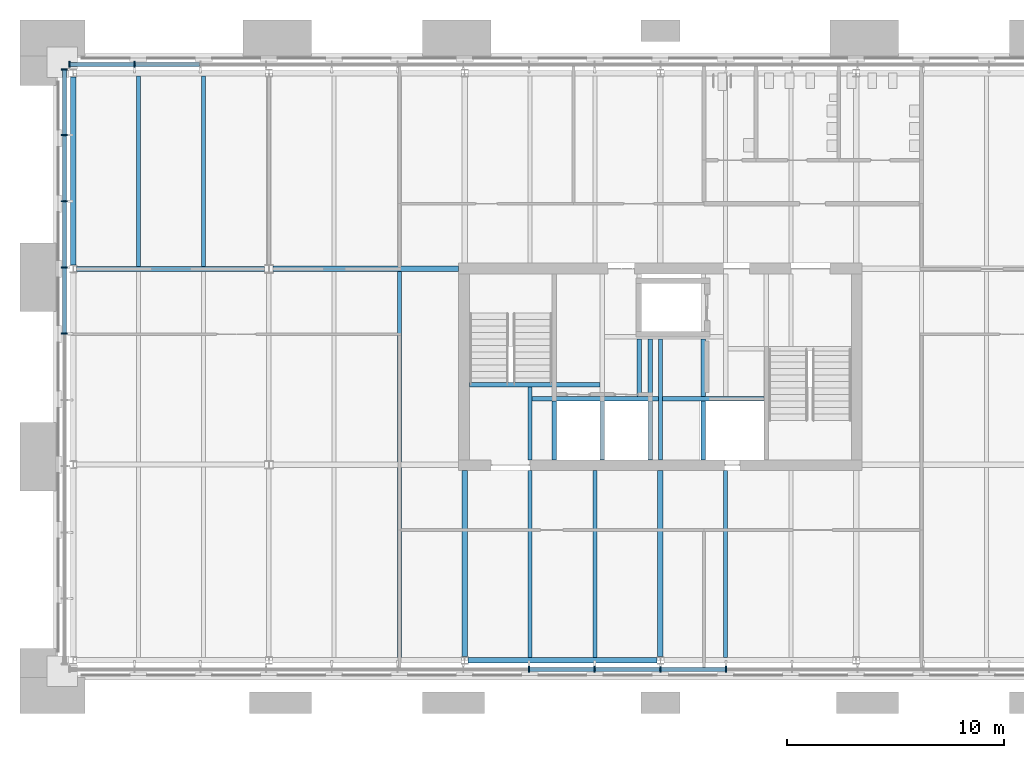
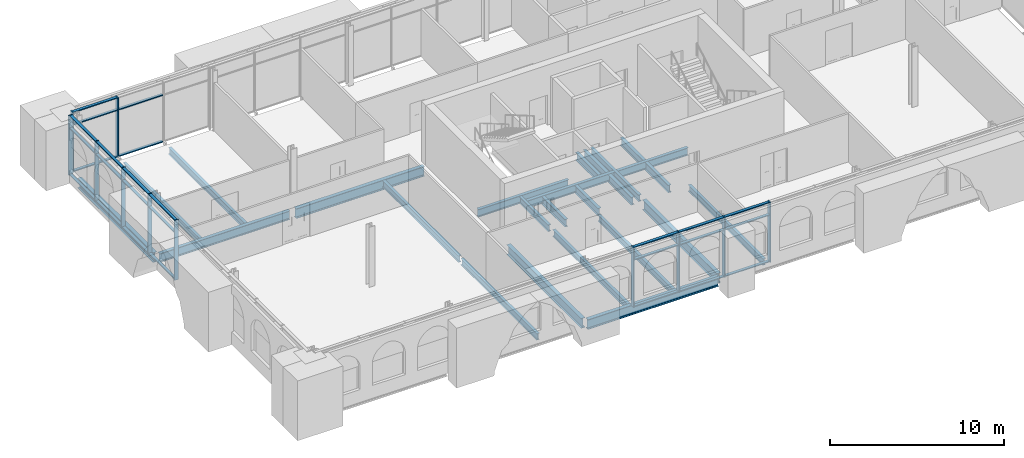
# One storey, part 4 of 22: 37 members, 25 beams, 3 elements without a shape of their own.
"""IFC4 building model written with IfcOpenShell, lengths in metres."""

import ifcopenshell
import ifcopenshell.guid

model = None  # the IFC model being written
_history = None  # IfcOwnerHistory: only IFC2X3 demands one
_inside = {}  # id of a spatial element -> (the spatial element, [elements in it])
_under = {}  # id of a project, library or spatial element -> (it, [spatial elements below it])
_declared = {}  # id of a project -> (the project, [libraries it declares])
_typed = {}  # id of a type object -> (the type object, [elements of that type])
_made_of = {}  # id of a material, layer set ... -> (it, [elements and type objects made of it])


def new_model(schema):
    """Start an empty IFC model of exactly this schema.

    Asked for "IFC4X3", IfcOpenShell would pick the latest addendum, in which some entities
    have other attributes; the version numbers below select the first issue.
    IFC2X3 requires an IfcOwnerHistory on every rooted entity: one is made here for all.
    """
    global model, _history
    if schema == "IFC4X3":
        model = ifcopenshell.file(schema_version=(4, 3, 0, 0))
    else:
        model = ifcopenshell.file(schema=schema)
    _inside.clear()
    _under.clear()
    _declared.clear()
    _typed.clear()
    _made_of.clear()
    _history = None
    if model.schema == "IFC2X3":
        org = make("IfcOrganization", Name="unknown")
        user = make(
            "IfcPersonAndOrganization",
            ThePerson=make("IfcPerson", FamilyName="unknown"),
            TheOrganization=org,
        )
        app = make(
            "IfcApplication",
            ApplicationDeveloper=org,
            Version="unknown",
            ApplicationFullName="unknown",
            ApplicationIdentifier="unknown",
        )
        _history = make(
            "IfcOwnerHistory",
            OwningUser=user,
            OwningApplication=app,
            ChangeAction="ADDED",
            CreationDate=0,
        )
    return model


def make(cls, **values):
    """One entity of the class cls with the attributes given. An attribute that is None is left unset."""
    return model.create_entity(
        cls, **{name: value for name, value in values.items() if value is not None}
    )


def rooted(cls, **values):
    """An entity with a GlobalId (a new one), such as an element, a storey or a relation."""
    return make(cls, GlobalId=ifcopenshell.guid.new(), OwnerHistory=_history, **values)


def si_unit(unit_type, name, prefix=None):
    """IfcSIUnit, for example si_unit("LENGTHUNIT", "METRE", prefix="MILLI")."""
    return make("IfcSIUnit", UnitType=unit_type, Prefix=prefix, Name=name)


def assignment(units):
    """IfcUnitAssignment: the units of a project."""
    return None if units is None else make("IfcUnitAssignment", Units=units)


def point(xyz):
    """IfcCartesianPoint."""
    return None if xyz is None else make("IfcCartesianPoint", Coordinates=xyz)


def direction(xyz):
    """IfcDirection."""
    return None if xyz is None else make("IfcDirection", DirectionRatios=xyz)


def frame(location, z_axis=None, x_axis=None):
    """IfcAxis2Placement3D, a coordinate frame: its origin and axes. An axis left out is left unset."""
    return make(
        "IfcAxis2Placement3D",
        Location=point(location),
        Axis=direction(z_axis),
        RefDirection=direction(x_axis),
    )


def frame_2d(location, x_axis=None):
    """IfcAxis2Placement2D, a coordinate frame in the plane: its origin and x axis."""
    return make(
        "IfcAxis2Placement2D", Location=point(location), RefDirection=direction(x_axis)
    )


def origin():
    """The frame at (0, 0, 0) with its axes left unset."""
    return frame((0.0, 0.0, 0.0))


def origin_2d():
    """The frame at (0, 0) in the plane with its x axis left unset."""
    return frame_2d((0.0, 0.0))


def place(relative_to, where):
    """IfcLocalPlacement: puts the frame where relative to a parent placement (None: the world)."""
    return make(
        "IfcLocalPlacement", PlacementRelTo=relative_to, RelativePlacement=where
    )


def context(
    kind, dimensions, precision=None, world=None, true_north=None, identifier=None
):
    """IfcGeometricRepresentationContext, for example the 3D "Model" context."""
    return make(
        "IfcGeometricRepresentationContext",
        ContextIdentifier=identifier,
        ContextType=kind,
        CoordinateSpaceDimension=dimensions,
        Precision=precision,
        WorldCoordinateSystem=world,
        TrueNorth=true_north,
    )


def subcontext(parent, identifier, kind, view, scale=None):
    """IfcGeometricRepresentationSubContext, for example "Body" below "Model"."""
    return make(
        "IfcGeometricRepresentationSubContext",
        ContextIdentifier=identifier,
        ContextType=kind,
        ParentContext=parent,
        TargetScale=scale,
        TargetView=view,
    )


def project(units=None, contexts=None):
    """IfcProject with its units and contexts."""
    return rooted(
        "IfcProject",
        Name="project",
        RepresentationContexts=contexts,
        UnitsInContext=assignment(units),
    )


def spatial(cls, under=None, at=None, **own):
    """A site, building, storey or space (cls), placed at a placement, below another one or the project."""
    s = rooted(cls, ObjectPlacement=at, **own)
    if under is not None:
        _under.setdefault(under.id(), (under, []))[1].append(s)
    return s


def profile(cls, at=None, kind="AREA", **sizes):
    """A parametric profile (cls). Its sizes go by their IFC names, for example OverallWidth=200.0."""
    return make(cls, ProfileType=kind, Position=at, **sizes)


def rectangle(**sizes):
    """IfcRectangleProfileDef."""
    return profile("IfcRectangleProfileDef", **sizes)


def i_section(**sizes):
    """IfcIShapeProfileDef."""
    return profile("IfcIShapeProfileDef", **sizes)


def extrude(swept, where, along, depth):
    """IfcExtrudedAreaSolid: the profile swept, set in the frame where, extruded along a direction by depth."""
    return make(
        "IfcExtrudedAreaSolid",
        SweptArea=swept,
        Position=where,
        ExtrudedDirection=direction(along),
        Depth=depth,
    )


def shape(context_of_items, identifier, shape_type, items):
    """IfcShapeRepresentation: the items that make up one representation, for example the "Body"."""
    return make(
        "IfcShapeRepresentation",
        ContextOfItems=context_of_items,
        RepresentationIdentifier=identifier,
        RepresentationType=shape_type,
        Items=items,
    )


def material(Name=None, Category=None):
    """IfcMaterial."""
    return make("IfcMaterial", Name=Name, Category=Category)


def material_profile(
    of_material, cross_section, Name=None, Category=None, Priority=None
):
    """IfcMaterialProfile: a cross section and its material."""
    return make(
        "IfcMaterialProfile",
        Name=Name,
        Material=of_material,
        Profile=cross_section,
        Priority=Priority,
        Category=Category,
    )


def profile_set(profiles, Name=None, composite=None):
    """IfcMaterialProfileSet."""
    return make(
        "IfcMaterialProfileSet",
        Name=Name,
        MaterialProfiles=profiles,
        CompositeProfile=composite,
    )


def made_of(thing, what):
    """Note that an element or type object is made of a material, layer set ...; save() writes the relation."""
    if what is not None:
        _made_of.setdefault(what.id(), (what, []))[1].append(thing)
    return thing


def type_object(cls, material=None, **own):
    """A type object (cls), such as IfcWallType, which elements share."""
    return made_of(rooted(cls, **own), material)


def element(
    cls,
    number,
    at=None,
    inside=None,
    cuts=None,
    type_object=None,
    material=None,
    context=None,
    identifier="Body",
    shape_type=None,
    held_by="IfcProductDefinitionShape",
    body=None,
    shapes=None,
    **own,
):
    """One element of the class cls, such as IfcWall. Its Tag is "e" and its number.

    at: its placement. inside: the storey or other place that contains it. cuts: it is an
    opening in that element (IfcRelVoidsElement). A single representation is given by context,
    identifier, shape_type and body (its items); several are given by shapes. held_by: the class
    of the entity that holds the representations. save() writes the other relations.
    """
    e = rooted(cls, Tag="e%d" % number, ObjectPlacement=at, **own)
    if body is not None:
        shapes = [shape(context, identifier, shape_type, body)]
    if shapes is not None:
        e.Representation = make(held_by, Representations=shapes)
    if inside is not None:
        _inside.setdefault(inside.id(), (inside, []))[1].append(e)
    if cuts is not None:
        rooted(
            "IfcRelVoidsElement", RelatingBuildingElement=cuts, RelatedOpeningElement=e
        )
    if type_object is not None:
        _typed.setdefault(type_object.id(), (type_object, []))[1].append(e)
    return made_of(e, material)


def aggregate(whole, parts):
    """IfcRelAggregates: a whole, such as a stair, and the parts it consists of."""
    return rooted("IfcRelAggregates", RelatingObject=whole, RelatedObjects=parts)


def save(model, path):
    """Write the relations noted so far, then the file.

    IfcRelAggregates (storeys below a building ...), IfcRelContainedInSpatialStructure (elements
    in a storey), IfcRelDefinesByType, IfcRelAssociatesMaterial and IfcRelDeclares: one each for
    every whole, place, type object, material and project.
    """
    for whole, parts in _under.values():
        aggregate(whole, parts)
    for where, things in _inside.values():
        rooted(
            "IfcRelContainedInSpatialStructure",
            RelatedElements=things,
            RelatingStructure=where,
        )
    for kind, things in _typed.values():
        rooted("IfcRelDefinesByType", RelatedObjects=things, RelatingType=kind)
    for what, things in _made_of.values():
        rooted("IfcRelAssociatesMaterial", RelatedObjects=things, RelatingMaterial=what)
    for by, libraries in _declared.values():
        rooted("IfcRelDeclares", RelatingContext=by, RelatedDefinitions=libraries)
    model.write(path)


model = new_model("IFC4")

# Units and contexts
model_context = context("Model", 3, precision=1e-05, world=origin(), true_north=direction((0.0, 1.0)))
body_context = subcontext(model_context, "Body", "Model", "MODEL_VIEW")
ifc_project = project(units=[si_unit("LENGTHUNIT", "METRE"), si_unit("AREAUNIT", "SQUARE_METRE"), si_unit("VOLUMEUNIT", "CUBIC_METRE"), si_unit("PLANEANGLEUNIT", "RADIAN"), si_unit("MASSUNIT", "GRAM", prefix="KILO")], contexts=[model_context])

# Site, building, storey
site_placement = place(None, origin())
site = spatial("IfcSite", under=ifc_project, at=site_placement, CompositionType="ELEMENT")
building_placement = place(site_placement, origin())
building = spatial("IfcBuilding", under=site, at=building_placement, Name="Baradari Gate Terminus", CompositionType="ELEMENT")
storey_placement = place(building_placement, frame((0.0, 0.0, 28.5)))
storey = spatial("IfcBuildingStorey", under=building, at=storey_placement, Name="L06", CompositionType="ELEMENT", Elevation=28.5)

# Beams
ifc_material_1 = material(Name="Steel S355", Category="steel")
ifc_material_profile_1 = material_profile(ifc_material_1, i_section(OverallWidth=0.19140625, OverallDepth=0.4599609375, WebThickness=0.010009765625, FlangeThickness=0.01611328125, FilletRadius=0.01025390625, at=origin_2d()), Name="UB 457x191x82")
ifc_profile_set_1 = profile_set([ifc_material_profile_1], Name="Steel S355")
beam_type_1 = type_object("IfcBeamType", Name="Core floor beam B23 UB 457x191x82", PredefinedType="BEAM", material=ifc_profile_set_1)
beam_1_placement = place(storey_placement, frame((30.0, 126.22509765625, -0.360107421875), z_axis=(0.0, 1.0, 0.0), x_axis=(-1.0, 0.0, 0.0)))
element("IfcBeam", 1, at=beam_1_placement, inside=storey, type_object=beam_type_1, Name="Core floor beam B23 30:126.225-129.57 L06", PredefinedType="BEAM", context=body_context, shape_type="SweptSolid", body=[
    extrude(i_section(OverallWidth=0.19140625, OverallDepth=0.4599609375, WebThickness=0.010009765625, FlangeThickness=0.01611328125, FilletRadius=0.01025390625, at=origin_2d()), origin(), (0.0, 0.0, 1.0), 3.34521484375),
])
beam_2_placement = place(storey_placement, frame((36.0, 126.22509765625, -0.360107421875), z_axis=(0.0, 1.0, 0.0), x_axis=(-1.0, 0.0, 0.0)))
element("IfcBeam", 2, at=beam_2_placement, inside=storey, type_object=beam_type_1, Name="Core floor beam B23 5:126.225-131.77 L06", PredefinedType="BEAM", context=body_context, shape_type="SweptSolid", body=[
    extrude(i_section(OverallWidth=0.19140625, OverallDepth=0.4599609375, WebThickness=0.010009765625, FlangeThickness=0.01611328125, FilletRadius=0.01025390625, at=origin_2d()), origin(), (0.0, 0.0, 1.0), 5.54541015625),
])
ifc_material_2 = material(Name="Steel S355", Category="steel")
ifc_material_profile_2 = material_profile(ifc_material_2, i_section(OverallWidth=0.209228515625, OverallDepth=0.533203125, WebThickness=0.010009765625, FlangeThickness=0.015625, FilletRadius=0.0126953125, at=origin_2d()), Name="UB 533x210x92")
ifc_profile_set_2 = profile_set([ifc_material_profile_2], Name="Steel S355")
beam_type_2 = type_object("IfcBeamType", Name="Core floor trimmer beam B22 UB 533x210x92", PredefinedType="BEAM", material=ifc_profile_set_2)
beam_3_placement = place(storey_placement, frame((30.095703125, 129.02490234375, -0.396484375), z_axis=(1.0, 0.0, 0.0), x_axis=(0.0, 1.0, 0.0)))
element("IfcBeam", 3, at=beam_3_placement, inside=storey, type_object=beam_type_2, Name="Core floor trimmer beam B22 129.025:30.096-35.904 L06", PredefinedType="BEAM", context=body_context, shape_type="SweptSolid", body=[
    extrude(i_section(OverallWidth=0.209228515625, OverallDepth=0.533203125, WebThickness=0.010009765625, FlangeThickness=0.015625, FilletRadius=0.0126953125, at=origin_2d()), origin(), (0.0, 0.0, 1.0), 5.80859375),
])
beam_4_placement = place(storey_placement, frame((36.095703125, 129.02490234375, -0.396484375), z_axis=(1.0, 0.0, 0.0), x_axis=(0.0, 1.0, 0.0)))
element("IfcBeam", 4, at=beam_4_placement, inside=storey, type_object=beam_type_2, Name="Core floor trimmer beam B22 129.025:36.096-40.77 L06", PredefinedType="BEAM", context=body_context, shape_type="SweptSolid", body=[
    extrude(i_section(OverallWidth=0.209228515625, OverallDepth=0.533203125, WebThickness=0.010009765625, FlangeThickness=0.015625, FilletRadius=0.0126953125, at=origin_2d()), origin(), (0.0, 0.0, 1.0), 4.6748046875),
])
beam_5_placement = place(storey_placement, frame((27.22509765625, 129.675048828125, -0.396484375), z_axis=(1.0, 0.0, 0.0), x_axis=(0.0, 1.0, 0.0)))
element("IfcBeam", 5, at=beam_5_placement, inside=storey, type_object=beam_type_2, Name="Core floor trimmer beam B22 129.675:27.225-33.22 L06", PredefinedType="BEAM", context=body_context, shape_type="SweptSolid", body=[
    extrude(i_section(OverallWidth=0.209228515625, OverallDepth=0.533203125, WebThickness=0.010009765625, FlangeThickness=0.015625, FilletRadius=0.0126953125, at=origin_2d()), origin(), (0.0, 0.0, 1.0), 5.995361328125),
])
for number, where, z_axis, x_axis, name in (
    (6, (31.125, 126.22509765625, -0.396484375), (0.0, 1.0, 0.0), (-1.0, 0.0, 0.0), "Core floor trimmer beam B22 31.125:126.225-128.92 L06"),
    (7, (33.324951171875, 126.22509765625, -0.396484375), (0.0, 1.0, 0.0), (-1.0, 0.0, 0.0), "Core floor trimmer beam B22 33.325:126.225-128.92 L06"),
    (8, (35.530029296875, 126.22509765625, -0.396484375), (0.0, 1.0, 0.0), (-1.0, 0.0, 0.0), "Core floor trimmer beam B22 35.53:126.225-128.92 L06"),
):
    element("IfcBeam", number, at=place(storey_placement, frame(where, z_axis=z_axis, x_axis=x_axis)), inside=storey, type_object=beam_type_2, Name=name, PredefinedType="BEAM", context=body_context, shape_type="SweptSolid", body=[
        extrude(i_section(OverallWidth=0.209228515625, OverallDepth=0.533203125, WebThickness=0.010009765625, FlangeThickness=0.015625, FilletRadius=0.0126953125, at=origin_2d()), origin(), (0.0, 0.0, 1.0), 2.6953125),
    ])
beam_6_placement = place(storey_placement, frame((35.530029296875, 129.129638671875, -0.396484375), z_axis=(0.0, 1.0, 0.0), x_axis=(-1.0, 0.0, 0.0)))
element("IfcBeam", 9, at=beam_6_placement, inside=storey, type_object=beam_type_2, Name="Core floor trimmer beam B22 35.53:129.13-131.77 L06", PredefinedType="BEAM", context=body_context, shape_type="SweptSolid", body=[
    extrude(i_section(OverallWidth=0.209228515625, OverallDepth=0.533203125, WebThickness=0.010009765625, FlangeThickness=0.015625, FilletRadius=0.0126953125, at=origin_2d()), origin(), (0.0, 0.0, 1.0), 2.640869140625),
])
beam_7_placement = place(storey_placement, frame((37.97802734375, 126.22509765625, -0.396484375), z_axis=(0.0, 1.0, 0.0), x_axis=(-1.0, 0.0, 0.0)))
element("IfcBeam", 10, at=beam_7_placement, inside=storey, type_object=beam_type_2, Name="Core floor trimmer beam B22 37.978:126.225-128.92 L06", PredefinedType="BEAM", context=body_context, shape_type="SweptSolid", body=[
    extrude(i_section(OverallWidth=0.209228515625, OverallDepth=0.533203125, WebThickness=0.010009765625, FlangeThickness=0.015625, FilletRadius=0.0126953125, at=origin_2d()), origin(), (0.0, 0.0, 1.0), 2.6953125),
])
for number, where, z_axis, x_axis, name in (
    (11, (35.02001953125, 129.129638671875, -0.396484375), (0.0, 1.0, 0.0), (-1.0, 0.0, 0.0), "Core floor trimmer beam B22 35.02:129.13-131.77 L06"),
    (12, (37.97802734375, 129.129638671875, -0.396484375), (0.0, 1.0, 0.0), (-1.0, 0.0, 0.0), "Core floor trimmer beam B22 37.978:129.13-131.77 L06"),
):
    element("IfcBeam", number, at=place(storey_placement, frame(where, z_axis=z_axis, x_axis=x_axis)), inside=storey, type_object=beam_type_2, Name=name, PredefinedType="BEAM", context=body_context, shape_type="SweptSolid", body=[
        extrude(i_section(OverallWidth=0.209228515625, OverallDepth=0.533203125, WebThickness=0.010009765625, FlangeThickness=0.015625, FilletRadius=0.0126953125, at=origin_2d()), origin(), (0.0, 0.0, 1.0), 2.640869140625),
    ])

# Curtain wall, members
ifc_material_3 = material(Name="Aluminium 6063-T6", Category="aluminium")
curtain_wall_type = type_object("IfcCurtainWallType", Name="Curtain wall CW-12 block arcade floors, L06-L07", PredefinedType="NOTDEFINED", material=ifc_material_3)
curtain_wall_1_placement = place(storey_placement, origin())
curtain_wall_1 = element("IfcCurtainWall", 13, at=curtain_wall_1_placement, inside=storey, type_object=curtain_wall_type, Name="Curtain wall CW-12 Operations block S face L06", PredefinedType="NOTDEFINED")
ifc_material_4 = material(Name="Aluminium 6063-T6", Category="aluminium")
ifc_material_profile_3 = material_profile(ifc_material_4, rectangle(XDim=0.27490234375, YDim=0.06494140625, at=origin_2d()), Name="CM-12 65X275")
ifc_profile_set_3 = profile_set([ifc_material_profile_3], Name="Aluminium 6063-T6")
member_type_1 = type_object("IfcMemberType", Name="Curtain wall mullion CM-12 65x275", PredefinedType="MULLION", material=ifc_profile_set_3)
member_1_placement = place(storey_placement, frame((29.95556640625, 116.592529296875, 0.0), z_axis=(0.0, 0.0, 1.0), x_axis=(0.0, 1.0, 0.0)))
member_1 = element("IfcMember", 14, at=member_1_placement, type_object=member_type_1, Name="CW-12 mullion 8", PredefinedType="MULLION", context=body_context, shape_type="SweptSolid", body=[
    extrude(rectangle(XDim=0.27490234375, YDim=0.06494140625, at=origin_2d()), origin(), (0.0, 0.0, 1.0), 4.199951171875),
])
member_2_placement = place(storey_placement, frame((32.977783203125, 116.592529296875, 0.0), z_axis=(0.0, 0.0, 1.0), x_axis=(0.0, 1.0, 0.0)))
member_2 = element("IfcMember", 15, at=member_2_placement, type_object=member_type_1, Name="CW-12 mullion 9", PredefinedType="MULLION", context=body_context, shape_type="SweptSolid", body=[
    extrude(rectangle(XDim=0.27490234375, YDim=0.06494140625, at=origin_2d()), origin(), (0.0, 0.0, 1.0), 4.199951171875),
])
member_3_placement = place(storey_placement, frame((36.0, 116.592529296875, 0.0), z_axis=(0.0, 0.0, 1.0), x_axis=(0.0, 1.0, 0.0)))
member_3 = element("IfcMember", 16, at=member_3_placement, type_object=member_type_1, Name="CW-12 mullion 10", PredefinedType="MULLION", context=body_context, shape_type="SweptSolid", body=[
    extrude(rectangle(XDim=0.27490234375, YDim=0.06494140625, at=origin_2d()), origin(), (0.0, 0.0, 1.0), 4.199951171875),
])
member_4_placement = place(storey_placement, frame((39.022216796875, 116.592529296875, 0.0), z_axis=(0.0, 0.0, 1.0), x_axis=(0.0, 1.0, 0.0)))
member_4 = element("IfcMember", 17, at=member_4_placement, type_object=member_type_1, Name="CW-12 mullion 11", PredefinedType="MULLION", context=body_context, shape_type="SweptSolid", body=[
    extrude(rectangle(XDim=0.27490234375, YDim=0.06494140625, at=origin_2d()), origin(), (0.0, 0.0, 1.0), 4.199951171875),
])

curtain_wall_2_placement = place(storey_placement, origin())
curtain_wall_2 = element("IfcCurtainWall", 18, at=curtain_wall_2_placement, inside=storey, type_object=curtain_wall_type, Name="Curtain wall CW-12 Operations block N face L06", PredefinedType="NOTDEFINED")
member_5_placement = place(storey_placement, frame((11.822265625, 144.407470703125, 0.0), z_axis=(0.0, 0.0, 1.0), x_axis=(0.0, -1.0, 0.0)))
member_5 = element("IfcMember", 19, at=member_5_placement, type_object=member_type_1, Name="CW-12 mullion 18", PredefinedType="MULLION", context=body_context, shape_type="SweptSolid", body=[
    extrude(rectangle(XDim=0.27490234375, YDim=0.06494140625, at=origin_2d()), origin(), (0.0, 0.0, 1.0), 4.199951171875),
])
member_6_placement = place(storey_placement, frame((8.83251953125, 144.407470703125, 0.0), z_axis=(0.0, 0.0, 1.0), x_axis=(0.0, -1.0, 0.0)))
member_6 = element("IfcMember", 20, at=member_6_placement, type_object=member_type_1, Name="CW-12 mullion 19", PredefinedType="MULLION", context=body_context, shape_type="SweptSolid", body=[
    extrude(rectangle(XDim=0.27490234375, YDim=0.06494140625, at=origin_2d()), origin(), (0.0, 0.0, 1.0), 4.199951171875),
])

curtain_wall_3_placement = place(storey_placement, origin())
curtain_wall_3 = element("IfcCurtainWall", 21, at=curtain_wall_3_placement, inside=storey, type_object=curtain_wall_type, Name="Curtain wall CW-12 Operations block W face L06", PredefinedType="NOTDEFINED")
member_7_placement = place(storey_placement, frame((8.592529296875, 144.16748046875, 0.0), z_axis=(0.0, 0.0, 1.0), x_axis=(1.0, 0.0, 0.0)))
member_7 = element("IfcMember", 22, at=member_7_placement, type_object=member_type_1, Name="CW-12 mullion 1", PredefinedType="MULLION", context=body_context, shape_type="SweptSolid", body=[
    extrude(rectangle(XDim=0.27490234375, YDim=0.06494140625, at=origin_2d()), origin(), (0.0, 0.0, 1.0), 4.199951171875),
])
member_8_placement = place(storey_placement, frame((8.592529296875, 141.155517578125, 0.0), z_axis=(0.0, 0.0, 1.0), x_axis=(1.0, 0.0, 0.0)))
member_8 = element("IfcMember", 23, at=member_8_placement, type_object=member_type_1, Name="CW-12 mullion 2", PredefinedType="MULLION", context=body_context, shape_type="SweptSolid", body=[
    extrude(rectangle(XDim=0.27490234375, YDim=0.06494140625, at=origin_2d()), origin(), (0.0, 0.0, 1.0), 4.199951171875),
])
member_9_placement = place(storey_placement, frame((8.592529296875, 138.111083984375, 0.0), z_axis=(0.0, 0.0, 1.0), x_axis=(1.0, 0.0, 0.0)))
member_9 = element("IfcMember", 24, at=member_9_placement, type_object=member_type_1, Name="CW-12 mullion 3", PredefinedType="MULLION", context=body_context, shape_type="SweptSolid", body=[
    extrude(rectangle(XDim=0.27490234375, YDim=0.06494140625, at=origin_2d()), origin(), (0.0, 0.0, 1.0), 4.199951171875),
])
member_10_placement = place(storey_placement, frame((8.592529296875, 135.066650390625, 0.0), z_axis=(0.0, 0.0, 1.0), x_axis=(1.0, 0.0, 0.0)))
member_10 = element("IfcMember", 25, at=member_10_placement, type_object=member_type_1, Name="CW-12 mullion 4", PredefinedType="MULLION", context=body_context, shape_type="SweptSolid", body=[
    extrude(rectangle(XDim=0.27490234375, YDim=0.06494140625, at=origin_2d()), origin(), (0.0, 0.0, 1.0), 4.199951171875),
])
member_11_placement = place(storey_placement, frame((8.592529296875, 132.022216796875, 0.0), z_axis=(0.0, 0.0, 1.0), x_axis=(1.0, 0.0, 0.0)))
member_11 = element("IfcMember", 26, at=member_11_placement, type_object=member_type_1, Name="CW-12 mullion 5", PredefinedType="MULLION", context=body_context, shape_type="SweptSolid", body=[
    extrude(rectangle(XDim=0.27490234375, YDim=0.06494140625, at=origin_2d()), origin(), (0.0, 0.0, 1.0), 4.199951171875),
])

# Member
ifc_material_5 = material(Name="Aluminium 6063-T6", Category="aluminium")
ifc_material_profile_4 = material_profile(ifc_material_5, rectangle(XDim=0.18505859375, YDim=0.06494140625, at=origin_2d()), Name="CT-12 65X185")
ifc_profile_set_4 = profile_set([ifc_material_profile_4], Name="Aluminium 6063-T6")
member_type_2 = type_object("IfcMemberType", Name="Curtain wall transom CT-12 65x185", PredefinedType="USERDEFINED", material=ifc_profile_set_4)
member_12_placement = place(storey_placement, frame((29.988037109375, 116.592529296875, 0.032470703125), z_axis=(1.0, 0.0, 0.0), x_axis=(0.0, 1.0, 0.0)))
member_12 = element("IfcMember", 27, at=member_12_placement, type_object=member_type_2, Name="CW-12 transom 8.1", ObjectType="TRANSOM", PredefinedType="USERDEFINED", context=body_context, shape_type="SweptSolid", body=[
    extrude(rectangle(XDim=0.18505859375, YDim=0.06494140625, at=origin_2d()), origin(), (0.0, 0.0, 1.0), 2.957275390625),
])

member_13_placement = place(storey_placement, frame((29.988037109375, 116.592529296875, 3.300048828125), z_axis=(1.0, 0.0, 0.0), x_axis=(0.0, 1.0, 0.0)))
member_13 = element("IfcMember", 28, at=member_13_placement, type_object=member_type_2, Name="CW-12 transom 8.2", ObjectType="TRANSOM", PredefinedType="USERDEFINED", context=body_context, shape_type="SweptSolid", body=[
    extrude(rectangle(XDim=0.18505859375, YDim=0.06494140625, at=origin_2d()), origin(), (0.0, 0.0, 1.0), 2.957275390625),
])

member_14_placement = place(storey_placement, frame((29.988037109375, 116.592529296875, 4.16748046875), z_axis=(1.0, 0.0, 0.0), x_axis=(0.0, 1.0, 0.0)))
member_14 = element("IfcMember", 29, at=member_14_placement, type_object=member_type_2, Name="CW-12 transom 8.3", ObjectType="TRANSOM", PredefinedType="USERDEFINED", context=body_context, shape_type="SweptSolid", body=[
    extrude(rectangle(XDim=0.18505859375, YDim=0.06494140625, at=origin_2d()), origin(), (0.0, 0.0, 1.0), 2.957275390625),
])

member_15_placement = place(storey_placement, frame((33.01025390625, 116.592529296875, 0.032470703125), z_axis=(1.0, 0.0, 0.0), x_axis=(0.0, 1.0, 0.0)))
member_15 = element("IfcMember", 30, at=member_15_placement, type_object=member_type_2, Name="CW-12 transom 9.1", ObjectType="TRANSOM", PredefinedType="USERDEFINED", context=body_context, shape_type="SweptSolid", body=[
    extrude(rectangle(XDim=0.18505859375, YDim=0.06494140625, at=origin_2d()), origin(), (0.0, 0.0, 1.0), 2.957275390625),
])

member_16_placement = place(storey_placement, frame((33.01025390625, 116.592529296875, 3.300048828125), z_axis=(1.0, 0.0, 0.0), x_axis=(0.0, 1.0, 0.0)))
member_16 = element("IfcMember", 31, at=member_16_placement, type_object=member_type_2, Name="CW-12 transom 9.2", ObjectType="TRANSOM", PredefinedType="USERDEFINED", context=body_context, shape_type="SweptSolid", body=[
    extrude(rectangle(XDim=0.18505859375, YDim=0.06494140625, at=origin_2d()), origin(), (0.0, 0.0, 1.0), 2.957275390625),
])

member_17_placement = place(storey_placement, frame((33.01025390625, 116.592529296875, 4.16748046875), z_axis=(1.0, 0.0, 0.0), x_axis=(0.0, 1.0, 0.0)))
member_17 = element("IfcMember", 32, at=member_17_placement, type_object=member_type_2, Name="CW-12 transom 9.3", ObjectType="TRANSOM", PredefinedType="USERDEFINED", context=body_context, shape_type="SweptSolid", body=[
    extrude(rectangle(XDim=0.18505859375, YDim=0.06494140625, at=origin_2d()), origin(), (0.0, 0.0, 1.0), 2.957275390625),
])

member_18_placement = place(storey_placement, frame((36.032470703125, 116.592529296875, 0.032470703125), z_axis=(1.0, 0.0, 0.0), x_axis=(0.0, 1.0, 0.0)))
member_18 = element("IfcMember", 33, at=member_18_placement, type_object=member_type_2, Name="CW-12 transom 10.1", ObjectType="TRANSOM", PredefinedType="USERDEFINED", context=body_context, shape_type="SweptSolid", body=[
    extrude(rectangle(XDim=0.18505859375, YDim=0.06494140625, at=origin_2d()), origin(), (0.0, 0.0, 1.0), 2.957275390625),
])

member_19_placement = place(storey_placement, frame((36.032470703125, 116.592529296875, 3.300048828125), z_axis=(1.0, 0.0, 0.0), x_axis=(0.0, 1.0, 0.0)))
member_19 = element("IfcMember", 34, at=member_19_placement, type_object=member_type_2, Name="CW-12 transom 10.2", ObjectType="TRANSOM", PredefinedType="USERDEFINED", context=body_context, shape_type="SweptSolid", body=[
    extrude(rectangle(XDim=0.18505859375, YDim=0.06494140625, at=origin_2d()), origin(), (0.0, 0.0, 1.0), 2.957275390625),
])

member_20_placement = place(storey_placement, frame((36.032470703125, 116.592529296875, 4.16748046875), z_axis=(1.0, 0.0, 0.0), x_axis=(0.0, 1.0, 0.0)))
member_20 = element("IfcMember", 35, at=member_20_placement, type_object=member_type_2, Name="CW-12 transom 10.3", ObjectType="TRANSOM", PredefinedType="USERDEFINED", context=body_context, shape_type="SweptSolid", body=[
    extrude(rectangle(XDim=0.18505859375, YDim=0.06494140625, at=origin_2d()), origin(), (0.0, 0.0, 1.0), 2.957275390625),
])

aggregate(curtain_wall_1, [member_1, member_2, member_3, member_4, member_12, member_13, member_14, member_15, member_16, member_17, member_18, member_19, member_20])

member_21_placement = place(storey_placement, frame((14.81201171875, 144.407470703125, 0.032470703125), z_axis=(-1.0, 0.0, 0.0), x_axis=(0.0, -1.0, 0.0)))
member_21 = element("IfcMember", 36, at=member_21_placement, type_object=member_type_2, Name="CW-12 transom 17.1", ObjectType="TRANSOM", PredefinedType="USERDEFINED", context=body_context, shape_type="SweptSolid", body=[
    extrude(rectangle(XDim=0.18505859375, YDim=0.06494140625, at=origin_2d()), origin(), (0.0, 0.0, 1.0), 2.957275390625),
])

member_22_placement = place(storey_placement, frame((14.81201171875, 144.407470703125, 3.300048828125), z_axis=(-1.0, 0.0, 0.0), x_axis=(0.0, -1.0, 0.0)))
member_22 = element("IfcMember", 37, at=member_22_placement, type_object=member_type_2, Name="CW-12 transom 17.2", ObjectType="TRANSOM", PredefinedType="USERDEFINED", context=body_context, shape_type="SweptSolid", body=[
    extrude(rectangle(XDim=0.18505859375, YDim=0.06494140625, at=origin_2d()), origin(), (0.0, 0.0, 1.0), 2.957275390625),
])

member_23_placement = place(storey_placement, frame((11.789794921875, 144.407470703125, 0.032470703125), z_axis=(-1.0, 0.0, 0.0), x_axis=(0.0, -1.0, 0.0)))
member_23 = element("IfcMember", 38, at=member_23_placement, type_object=member_type_2, Name="CW-12 transom 18.1", ObjectType="TRANSOM", PredefinedType="USERDEFINED", context=body_context, shape_type="SweptSolid", body=[
    extrude(rectangle(XDim=0.18505859375, YDim=0.06494140625, at=origin_2d()), origin(), (0.0, 0.0, 1.0), 2.9248046875),
])

member_24_placement = place(storey_placement, frame((11.789794921875, 144.407470703125, 3.300048828125), z_axis=(-1.0, 0.0, 0.0), x_axis=(0.0, -1.0, 0.0)))
member_24 = element("IfcMember", 39, at=member_24_placement, type_object=member_type_2, Name="CW-12 transom 18.2", ObjectType="TRANSOM", PredefinedType="USERDEFINED", context=body_context, shape_type="SweptSolid", body=[
    extrude(rectangle(XDim=0.18505859375, YDim=0.06494140625, at=origin_2d()), origin(), (0.0, 0.0, 1.0), 2.9248046875),
])

member_25_placement = place(storey_placement, frame((11.789794921875, 144.407470703125, 4.16748046875), z_axis=(-1.0, 0.0, 0.0), x_axis=(0.0, -1.0, 0.0)))
member_25 = element("IfcMember", 40, at=member_25_placement, type_object=member_type_2, Name="CW-12 transom 18.3", ObjectType="TRANSOM", PredefinedType="USERDEFINED", context=body_context, shape_type="SweptSolid", body=[
    extrude(rectangle(XDim=0.18505859375, YDim=0.06494140625, at=origin_2d()), origin(), (0.0, 0.0, 1.0), 2.9248046875),
])

aggregate(curtain_wall_2, [member_5, member_6, member_21, member_22, member_23, member_24, member_25])

member_26_placement = place(storey_placement, frame((8.592529296875, 144.135009765625, 0.032470703125), z_axis=(0.0, -1.0, 0.0), x_axis=(1.0, 0.0, 0.0)))
member_26 = element("IfcMember", 41, at=member_26_placement, type_object=member_type_2, Name="CW-12 transom 1.1", ObjectType="TRANSOM", PredefinedType="USERDEFINED", context=body_context, shape_type="SweptSolid", body=[
    extrude(rectangle(XDim=0.18505859375, YDim=0.06494140625, at=origin_2d()), origin(), (0.0, 0.0, 1.0), 2.947021484375),
])

member_27_placement = place(storey_placement, frame((8.592529296875, 144.135009765625, 3.300048828125), z_axis=(0.0, -1.0, 0.0), x_axis=(1.0, 0.0, 0.0)))
member_27 = element("IfcMember", 42, at=member_27_placement, type_object=member_type_2, Name="CW-12 transom 1.2", ObjectType="TRANSOM", PredefinedType="USERDEFINED", context=body_context, shape_type="SweptSolid", body=[
    extrude(rectangle(XDim=0.18505859375, YDim=0.06494140625, at=origin_2d()), origin(), (0.0, 0.0, 1.0), 2.947021484375),
])

member_28_placement = place(storey_placement, frame((8.592529296875, 144.135009765625, 4.16748046875), z_axis=(0.0, -1.0, 0.0), x_axis=(1.0, 0.0, 0.0)))
member_28 = element("IfcMember", 43, at=member_28_placement, type_object=member_type_2, Name="CW-12 transom 1.3", ObjectType="TRANSOM", PredefinedType="USERDEFINED", context=body_context, shape_type="SweptSolid", body=[
    extrude(rectangle(XDim=0.18505859375, YDim=0.06494140625, at=origin_2d()), origin(), (0.0, 0.0, 1.0), 2.947021484375),
])

member_29_placement = place(storey_placement, frame((8.592529296875, 141.123046875, 0.032470703125), z_axis=(0.0, -1.0, 0.0), x_axis=(1.0, 0.0, 0.0)))
member_29 = element("IfcMember", 44, at=member_29_placement, type_object=member_type_2, Name="CW-12 transom 2.1", ObjectType="TRANSOM", PredefinedType="USERDEFINED", context=body_context, shape_type="SweptSolid", body=[
    extrude(rectangle(XDim=0.18505859375, YDim=0.06494140625, at=origin_2d()), origin(), (0.0, 0.0, 1.0), 2.9794921875),
])

member_30_placement = place(storey_placement, frame((8.592529296875, 141.123046875, 3.300048828125), z_axis=(0.0, -1.0, 0.0), x_axis=(1.0, 0.0, 0.0)))
member_30 = element("IfcMember", 45, at=member_30_placement, type_object=member_type_2, Name="CW-12 transom 2.2", ObjectType="TRANSOM", PredefinedType="USERDEFINED", context=body_context, shape_type="SweptSolid", body=[
    extrude(rectangle(XDim=0.18505859375, YDim=0.06494140625, at=origin_2d()), origin(), (0.0, 0.0, 1.0), 2.9794921875),
])

member_31_placement = place(storey_placement, frame((8.592529296875, 141.123046875, 4.16748046875), z_axis=(0.0, -1.0, 0.0), x_axis=(1.0, 0.0, 0.0)))
member_31 = element("IfcMember", 46, at=member_31_placement, type_object=member_type_2, Name="CW-12 transom 2.3", ObjectType="TRANSOM", PredefinedType="USERDEFINED", context=body_context, shape_type="SweptSolid", body=[
    extrude(rectangle(XDim=0.18505859375, YDim=0.06494140625, at=origin_2d()), origin(), (0.0, 0.0, 1.0), 2.9794921875),
])

member_32_placement = place(storey_placement, frame((8.592529296875, 138.07861328125, 0.032470703125), z_axis=(0.0, -1.0, 0.0), x_axis=(1.0, 0.0, 0.0)))
member_32 = element("IfcMember", 47, at=member_32_placement, type_object=member_type_2, Name="CW-12 transom 3.1", ObjectType="TRANSOM", PredefinedType="USERDEFINED", context=body_context, shape_type="SweptSolid", body=[
    extrude(rectangle(XDim=0.18505859375, YDim=0.06494140625, at=origin_2d()), origin(), (0.0, 0.0, 1.0), 2.9794921875),
])

member_33_placement = place(storey_placement, frame((8.592529296875, 138.07861328125, 3.300048828125), z_axis=(0.0, -1.0, 0.0), x_axis=(1.0, 0.0, 0.0)))
member_33 = element("IfcMember", 48, at=member_33_placement, type_object=member_type_2, Name="CW-12 transom 3.2", ObjectType="TRANSOM", PredefinedType="USERDEFINED", context=body_context, shape_type="SweptSolid", body=[
    extrude(rectangle(XDim=0.18505859375, YDim=0.06494140625, at=origin_2d()), origin(), (0.0, 0.0, 1.0), 2.9794921875),
])

member_34_placement = place(storey_placement, frame((8.592529296875, 138.07861328125, 4.16748046875), z_axis=(0.0, -1.0, 0.0), x_axis=(1.0, 0.0, 0.0)))
member_34 = element("IfcMember", 49, at=member_34_placement, type_object=member_type_2, Name="CW-12 transom 3.3", ObjectType="TRANSOM", PredefinedType="USERDEFINED", context=body_context, shape_type="SweptSolid", body=[
    extrude(rectangle(XDim=0.18505859375, YDim=0.06494140625, at=origin_2d()), origin(), (0.0, 0.0, 1.0), 2.9794921875),
])

member_35_placement = place(storey_placement, frame((8.592529296875, 135.0341796875, 0.032470703125), z_axis=(0.0, -1.0, 0.0), x_axis=(1.0, 0.0, 0.0)))
member_35 = element("IfcMember", 50, at=member_35_placement, type_object=member_type_2, Name="CW-12 transom 4.1", ObjectType="TRANSOM", PredefinedType="USERDEFINED", context=body_context, shape_type="SweptSolid", body=[
    extrude(rectangle(XDim=0.18505859375, YDim=0.06494140625, at=origin_2d()), origin(), (0.0, 0.0, 1.0), 2.9794921875),
])

member_36_placement = place(storey_placement, frame((8.592529296875, 135.0341796875, 3.300048828125), z_axis=(0.0, -1.0, 0.0), x_axis=(1.0, 0.0, 0.0)))
member_36 = element("IfcMember", 51, at=member_36_placement, type_object=member_type_2, Name="CW-12 transom 4.2", ObjectType="TRANSOM", PredefinedType="USERDEFINED", context=body_context, shape_type="SweptSolid", body=[
    extrude(rectangle(XDim=0.18505859375, YDim=0.06494140625, at=origin_2d()), origin(), (0.0, 0.0, 1.0), 2.9794921875),
])

member_37_placement = place(storey_placement, frame((8.592529296875, 135.0341796875, 4.16748046875), z_axis=(0.0, -1.0, 0.0), x_axis=(1.0, 0.0, 0.0)))
member_37 = element("IfcMember", 52, at=member_37_placement, type_object=member_type_2, Name="CW-12 transom 4.3", ObjectType="TRANSOM", PredefinedType="USERDEFINED", context=body_context, shape_type="SweptSolid", body=[
    extrude(rectangle(XDim=0.18505859375, YDim=0.06494140625, at=origin_2d()), origin(), (0.0, 0.0, 1.0), 2.9794921875),
])

aggregate(curtain_wall_3, [member_7, member_8, member_9, member_10, member_11, member_26, member_27, member_28, member_29, member_30, member_31, member_32, member_33, member_34, member_35, member_36, member_37])

# Beams
ifc_material_6 = material(Name="Steel S355", Category="steel")
ifc_material_profile_5 = material_profile(ifc_material_6, i_section(OverallWidth=0.25439453125, OverallDepth=0.6875, WebThickness=0.01318359375, FlangeThickness=0.02099609375, FilletRadius=0.01513671875, at=origin_2d()), Name="UB 686x254x152")
ifc_profile_set_5 = profile_set([ifc_material_profile_5], Name="Steel S355")
beam_type_3 = type_object("IfcBeamType", Name="Operations block coupling beam B26 UB 686x254x152", PredefinedType="BEAM", material=ifc_profile_set_5)
beam_8_placement = place(storey_placement, frame((18.197509765625, 135.0, -0.4736328125), z_axis=(1.0, 0.0, 0.0), x_axis=(0.0, 1.0, 0.0)))
element("IfcBeam", 53, at=beam_8_placement, inside=storey, type_object=beam_type_3, Name="Operations block coupling beam B26 R:18.197-26.725 L06", PredefinedType="BEAM", context=body_context, shape_type="SweptSolid", body=[
    extrude(i_section(OverallWidth=0.25439453125, OverallDepth=0.6875, WebThickness=0.01318359375, FlangeThickness=0.02099609375, FilletRadius=0.01513671875, at=origin_2d()), origin(), (0.0, 0.0, 1.0), 8.527587890625),
])
for number, where, z_axis, x_axis, name in (
    (54, (27.0, 117.169921875, -0.4736328125), (0.0, 1.0, 0.0), (-1.0, 0.0, 0.0), "Operations block coupling beam B26 4:117.17-125.725 L06"),
    (55, (36.0, 117.169921875, -0.4736328125), (0.0, 1.0, 0.0), (-1.0, 0.0, 0.0), "Operations block coupling beam B26 5:117.17-125.725 L06"),
):
    element("IfcBeam", number, at=place(storey_placement, frame(where, z_axis=z_axis, x_axis=x_axis)), inside=storey, type_object=beam_type_3, Name=name, PredefinedType="BEAM", context=body_context, shape_type="SweptSolid", body=[
        extrude(i_section(OverallWidth=0.25439453125, OverallDepth=0.6875, WebThickness=0.01318359375, FlangeThickness=0.02099609375, FilletRadius=0.01513671875, at=origin_2d()), origin(), (0.0, 0.0, 1.0), 8.55517578125),
    ])
ifc_material_7 = material(Name="Steel S355", Category="steel")
ifc_material_profile_6 = material_profile(ifc_material_7, i_section(OverallWidth=0.22900390625, OverallDepth=0.6123046875, WebThickness=0.011962890625, FlangeThickness=0.01953125, FilletRadius=0.0126953125, at=origin_2d()), Name="UB 610x229x125")
ifc_profile_set_6 = profile_set([ifc_material_profile_6], Name="Steel S355")
beam_type_4 = type_object("IfcBeamType", Name="Operations block girder B25 UB 610x229x125", PredefinedType="BEAM", material=ifc_profile_set_6)
beam_9_placement = place(storey_placement, frame((9.1572265625, 135.0, -0.43603515625), z_axis=(1.0, 0.0, 0.0), x_axis=(0.0, 1.0, 0.0)))
element("IfcBeam", 56, at=beam_9_placement, inside=storey, type_object=beam_type_4, Name="Operations block girder B25 R:9.157-17.803 L06", PredefinedType="BEAM", context=body_context, shape_type="SweptSolid", body=[
    extrude(i_section(OverallWidth=0.22900390625, OverallDepth=0.6123046875, WebThickness=0.011962890625, FlangeThickness=0.01953125, FilletRadius=0.0126953125, at=origin_2d()), origin(), (0.0, 0.0, 1.0), 8.645263671875),
])
ifc_material_8 = material(Name="Steel S355", Category="steel")
ifc_material_profile_7 = material_profile(ifc_material_8, i_section(OverallWidth=0.25439453125, OverallDepth=0.6875, WebThickness=0.01318359375, FlangeThickness=0.02099609375, FilletRadius=0.01513671875, at=origin_2d()), Name="UB 686x254x152")
ifc_profile_set_7 = profile_set([ifc_material_profile_7], Name="Steel S355")
beam_type_5 = type_object("IfcBeamType", Name="Operations block moment frame beam B32 UB 686x254x152", PredefinedType="BEAM", material=ifc_profile_set_7)
beam_10_placement = place(storey_placement, frame((27.1572265625, 117.0, -0.4736328125), z_axis=(1.0, 0.0, 0.0), x_axis=(0.0, 1.0, 0.0)))
element("IfcBeam", 57, at=beam_10_placement, inside=storey, type_object=beam_type_5, Name="Operations block moment frame beam B32 P:27.157-35.843 L06", PredefinedType="BEAM", context=body_context, shape_type="SweptSolid", body=[
    extrude(i_section(OverallWidth=0.25439453125, OverallDepth=0.6875, WebThickness=0.01318359375, FlangeThickness=0.02099609375, FilletRadius=0.01513671875, at=origin_2d()), origin(), (0.0, 0.0, 1.0), 8.685546875),
])
beam_11_placement = place(storey_placement, frame((9.0, 135.169921875, -0.4736328125), z_axis=(0.0, 1.0, 0.0), x_axis=(-1.0, 0.0, 0.0)))
element("IfcBeam", 58, at=beam_11_placement, inside=storey, type_object=beam_type_5, Name="Operations block moment frame beam B32 2:135.17-143.83 L06", PredefinedType="BEAM", context=body_context, shape_type="SweptSolid", body=[
    extrude(i_section(OverallWidth=0.25439453125, OverallDepth=0.6875, WebThickness=0.01318359375, FlangeThickness=0.02099609375, FilletRadius=0.01513671875, at=origin_2d()), origin(), (0.0, 0.0, 1.0), 8.66015625),
])
ifc_material_9 = material(Name="Steel S355", Category="steel")
ifc_material_profile_8 = material_profile(ifc_material_9, i_section(OverallWidth=0.18994140625, OverallDepth=0.453369140625, WebThickness=0.008544921875, FlangeThickness=0.0126953125, FilletRadius=0.01025390625, at=origin_2d()), Name="UB 457x191x67")
ifc_profile_set_8 = profile_set([ifc_material_profile_8], Name="Steel S355")
beam_type_6 = type_object("IfcBeamType", Name="Operations block secondary beam B28 UB 457x191x67", PredefinedType="BEAM", material=ifc_profile_set_8)
for number, where, z_axis, x_axis, name in (
    (59, (12.0, 135.114501953125, -0.356689453125), (0.0, 1.0, 0.0), (-1.0, 0.0, 0.0), "Operations block secondary beam B28 12:135.114-143.873 L06"),
    (60, (15.0, 135.114501953125, -0.356689453125), (0.0, 1.0, 0.0), (-1.0, 0.0, 0.0), "Operations block secondary beam B28 15:135.114-143.873 L06"),
):
    element("IfcBeam", number, at=place(storey_placement, frame(where, z_axis=z_axis, x_axis=x_axis)), inside=storey, type_object=beam_type_6, Name=name, PredefinedType="BEAM", context=body_context, shape_type="SweptSolid", body=[
        extrude(i_section(OverallWidth=0.18994140625, OverallDepth=0.453369140625, WebThickness=0.008544921875, FlangeThickness=0.0126953125, FilletRadius=0.01025390625, at=origin_2d()), origin(), (0.0, 0.0, 1.0), 8.75830078125),
    ])
for number, where, z_axis, x_axis, name in (
    (61, (24.0, 117.127197265625, -0.356689453125), (0.0, 1.0, 0.0), (-1.0, 0.0, 0.0), "Operations block secondary beam B28 24:117.127-125.873 L06"),
    (62, (24.0, 126.127197265625, -0.356689453125), (0.0, 1.0, 0.0), (-1.0, 0.0, 0.0), "Operations block secondary beam B28 24:126.127-134.873 L06"),
):
    element("IfcBeam", number, at=place(storey_placement, frame(where, z_axis=z_axis, x_axis=x_axis)), inside=storey, type_object=beam_type_6, Name=name, PredefinedType="BEAM", context=body_context, shape_type="SweptSolid", body=[
        extrude(i_section(OverallWidth=0.18994140625, OverallDepth=0.453369140625, WebThickness=0.008544921875, FlangeThickness=0.0126953125, FilletRadius=0.01025390625, at=origin_2d()), origin(), (0.0, 0.0, 1.0), 8.74560546875),
    ])
for number, where, z_axis, x_axis, name in (
    (63, (30.0, 117.127197265625, -0.356689453125), (0.0, 1.0, 0.0), (-1.0, 0.0, 0.0), "Operations block secondary beam B28 30:117.127-125.725 L06"),
    (64, (33.0, 117.127197265625, -0.356689453125), (0.0, 1.0, 0.0), (-1.0, 0.0, 0.0), "Operations block secondary beam B28 33:117.127-125.725 L06"),
    (65, (39.0, 117.127197265625, -0.356689453125), (0.0, 1.0, 0.0), (-1.0, 0.0, 0.0), "Operations block secondary beam B28 39:117.127-125.725 L06"),
):
    element("IfcBeam", number, at=place(storey_placement, frame(where, z_axis=z_axis, x_axis=x_axis)), inside=storey, type_object=beam_type_6, Name=name, PredefinedType="BEAM", context=body_context, shape_type="SweptSolid", body=[
        extrude(i_section(OverallWidth=0.18994140625, OverallDepth=0.453369140625, WebThickness=0.008544921875, FlangeThickness=0.0126953125, FilletRadius=0.01025390625, at=origin_2d()), origin(), (0.0, 0.0, 1.0), 8.597900390625),
    ])

save(model, "model.ifc")
